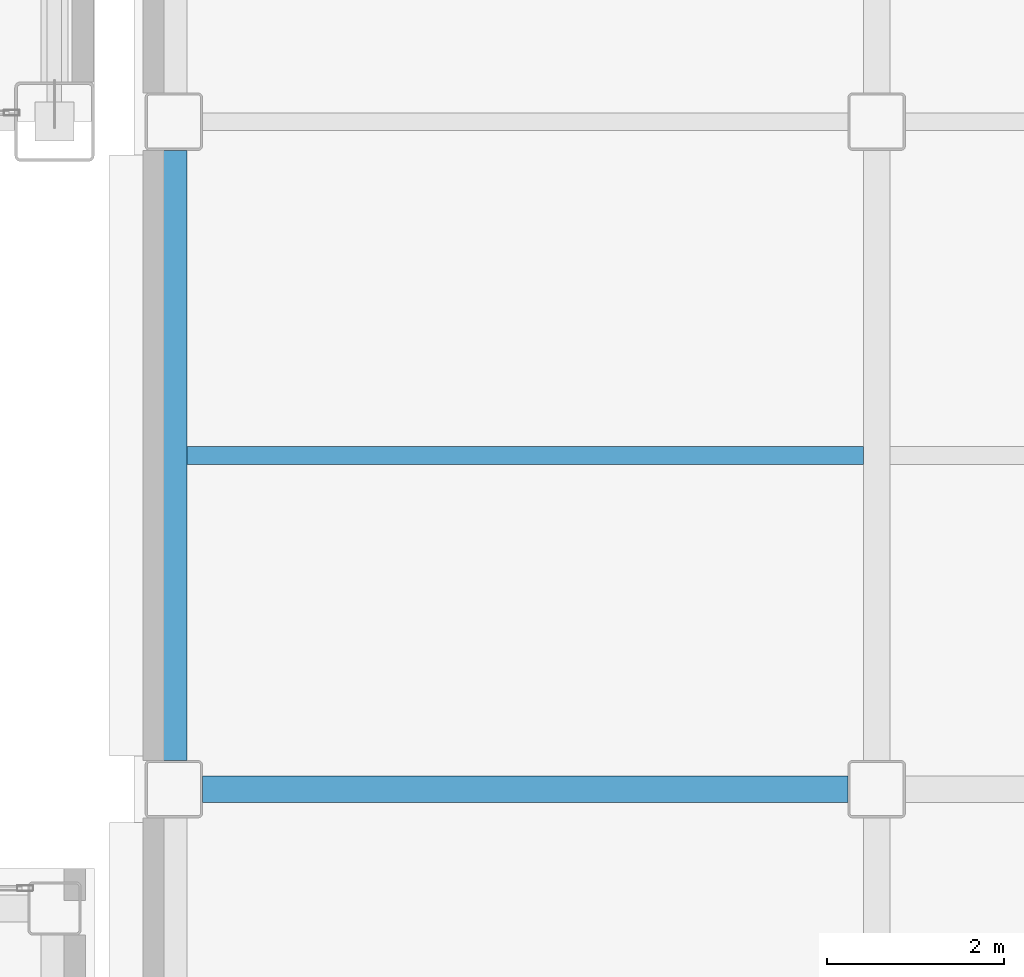
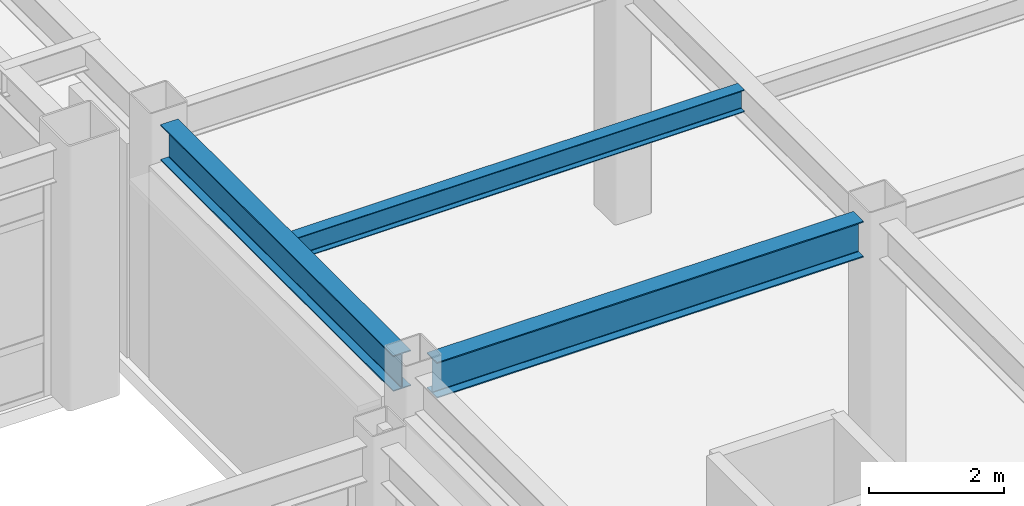
# One storey, part 35 of 172: 3 beams.
"""IFC4 building model written with IfcOpenShell, lengths in metres."""

from ifc_helpers import new_model, si_unit, direction, frame, origin, origin_2d, place, context, subcontext, project, spatial, i_section, extrude, material, material_profile, profile_set, type_object, element, save


model = new_model("IFC4")

# Units and contexts
model_context = context("Model", 3, precision=1e-05, world=origin(), true_north=direction((0.0, 1.0)))
body_context = subcontext(model_context, "Body", "Model", "MODEL_VIEW")
ifc_project = project(units=[si_unit("LENGTHUNIT", "METRE"), si_unit("AREAUNIT", "SQUARE_METRE"), si_unit("VOLUMEUNIT", "CUBIC_METRE"), si_unit("PLANEANGLEUNIT", "RADIAN"), si_unit("MASSUNIT", "GRAM", prefix="KILO")], contexts=[model_context])

# Site, building, storey
site_placement = place(None, origin())
site = spatial("IfcSite", under=ifc_project, at=site_placement, CompositionType="ELEMENT")
building_placement = place(site_placement, origin())
building = spatial("IfcBuilding", under=site, at=building_placement, Name="Kazehara Bluff Congress Hotel", CompositionType="ELEMENT")
storey_placement = place(building_placement, frame((0.0, 0.0, 5.39990234375)))
storey = spatial("IfcBuildingStorey", under=building, at=storey_placement, Name="L01", CompositionType="ELEMENT", Elevation=5.39990234375)

# Beams
ifc_material_1 = material(Name="Steel SN490B", Category="steel")
ifc_material_profile_1 = material_profile(ifc_material_1, i_section(OverallWidth=0.300048828125, OverallDepth=0.64990234375, WebThickness=0.011962890625, FlangeThickness=0.02001953125, FilletRadius=0.012939453125, at=origin_2d()))
ifc_profile_set_1 = profile_set([ifc_material_profile_1], Name="Steel SN490B")
beam_type_1 = type_object("IfcBeamType", Name="TP-G-03", PredefinedType="BEAM", material=ifc_profile_set_1)
beam_1_placement = place(storey_placement, frame((59.699951171875, 41.22509765625, 4.22509765625), z_axis=(0.0, 1.0, 0.0), x_axis=(-1.0, 0.0, 0.0)))
element("IfcBeam", 1, at=beam_1_placement, inside=storey, type_object=beam_type_1, Name="L01 girder G-03 151", PredefinedType="BEAM", context=body_context, shape_type="SweptSolid", body=[
    extrude(i_section(OverallWidth=0.300048828125, OverallDepth=0.64990234375, WebThickness=0.011962890625, FlangeThickness=0.02001953125, FilletRadius=0.012939453125, at=origin_2d()), origin(), (0.0, 0.0, 1.0), 6.89990234375),
])
beam_2_placement = place(storey_placement, frame((60.02490234375, 40.89990234375, 4.22509765625), z_axis=(1.0, 0.0, 0.0), x_axis=(0.0, 1.0, 0.0)))
element("IfcBeam", 2, at=beam_2_placement, inside=storey, type_object=beam_type_1, Name="L01 girder G-03 204", PredefinedType="BEAM", context=body_context, shape_type="SweptSolid", body=[
    extrude(i_section(OverallWidth=0.300048828125, OverallDepth=0.64990234375, WebThickness=0.011962890625, FlangeThickness=0.02001953125, FilletRadius=0.012939453125, at=origin_2d()), origin(), (0.0, 0.0, 1.0), 7.300048828125),
])
ifc_material_2 = material(Name="Steel SN400B", Category="steel")
ifc_material_profile_2 = material_profile(ifc_material_2, i_section(OverallWidth=0.199951171875, OverallDepth=0.39990234375, WebThickness=0.008056640625, FlangeThickness=0.012939453125, FilletRadius=0.012939453125, at=origin_2d()))
ifc_profile_set_2 = profile_set([ifc_material_profile_2], Name="Steel SN400B")
beam_type_2 = type_object("IfcBeamType", Name="TP-J-03", PredefinedType="JOIST", material=ifc_profile_set_2)
beam_3_placement = place(storey_placement, frame((59.85009765625, 44.675048828125, 4.35009765625), z_axis=(1.0, 0.0, 0.0), x_axis=(0.0, 1.0, 0.0)))
element("IfcBeam", 3, at=beam_3_placement, inside=storey, type_object=beam_type_2, Name="L01 secondary joist J-03 35", PredefinedType="JOIST", context=body_context, shape_type="SweptSolid", body=[
    extrude(i_section(OverallWidth=0.199951171875, OverallDepth=0.39990234375, WebThickness=0.008056640625, FlangeThickness=0.012939453125, FilletRadius=0.012939453125, at=origin_2d()), origin(), (0.0, 0.0, 1.0), 7.64990234375),
])

save(model, "model.ifc")
